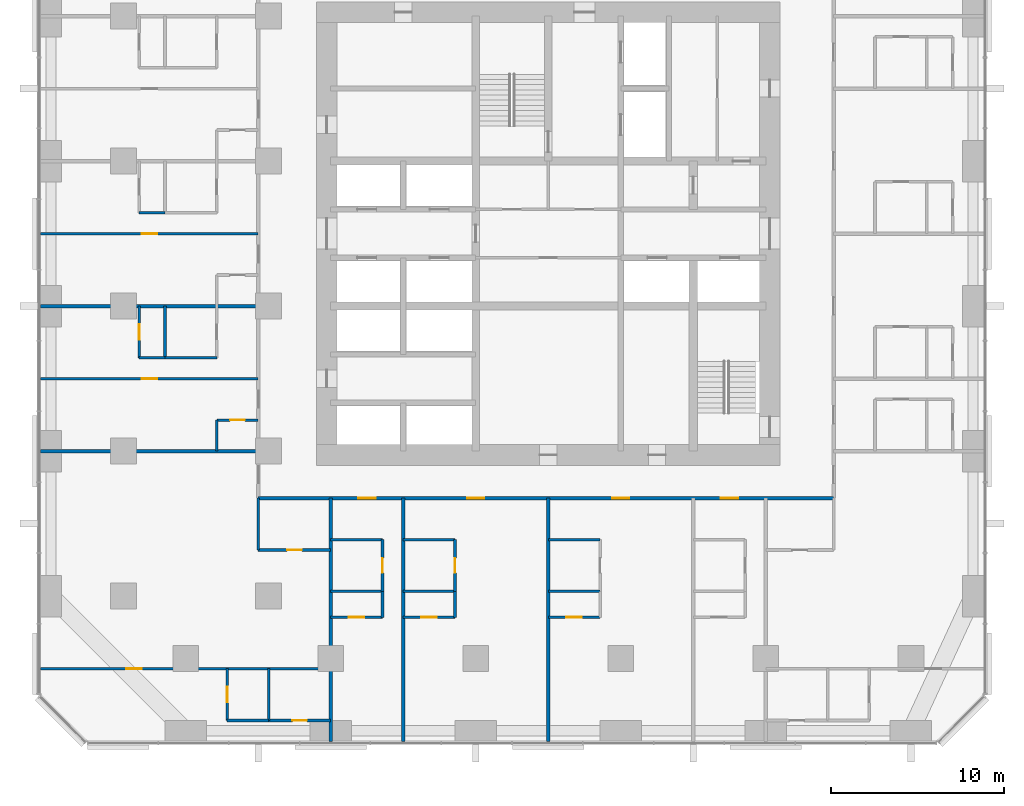
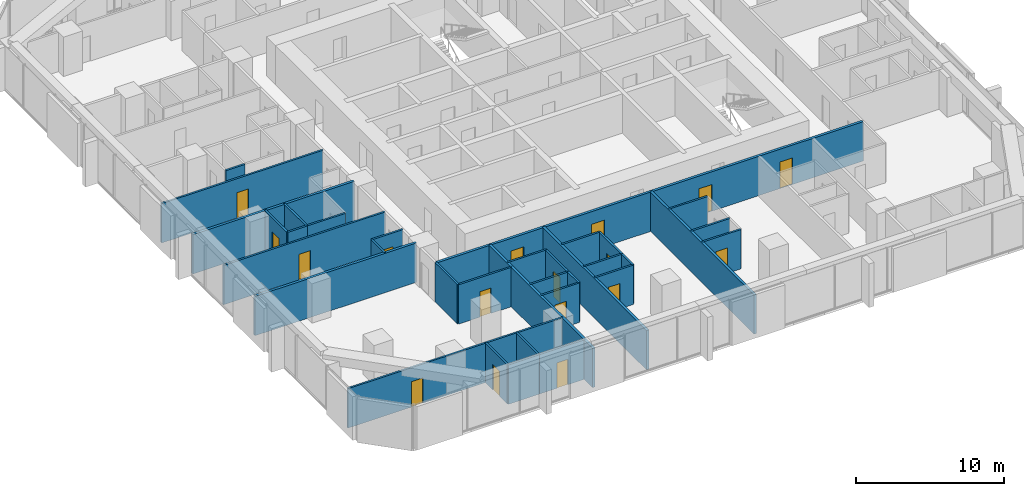
# One storey, part 8 of 14: 35 walls, 17 doors, 17 openings.
"""IFC4 building model written with IfcOpenShell, lengths in metres."""

from ifc_helpers import new_model, si_unit, direction, frame, frame_2d, origin, place, context, subcontext, project, spatial, rectangle, extrude, material, layer, layer_set, type_object, element, fill, save


model = new_model("IFC4")

# Units and contexts
model_context = context("Model", 3, precision=1e-05, world=origin(), true_north=direction((0.0, 1.0)))
body_context = subcontext(model_context, "Body", "Model", "MODEL_VIEW")
ifc_project = project(units=[si_unit("LENGTHUNIT", "METRE"), si_unit("AREAUNIT", "SQUARE_METRE"), si_unit("VOLUMEUNIT", "CUBIC_METRE"), si_unit("PLANEANGLEUNIT", "RADIAN"), si_unit("MASSUNIT", "GRAM", prefix="KILO")], contexts=[model_context])

# Site, building, storey
site_placement = place(None, origin())
site = spatial("IfcSite", under=ifc_project, at=site_placement, CompositionType="ELEMENT")
building_placement = place(site_placement, origin())
building = spatial("IfcBuilding", under=site, at=building_placement, Name="Dunama Terrace Hotel", CompositionType="ELEMENT")
storey_placement = place(building_placement, frame((0.0, 0.0, 104.39990234375)))
storey = spatial("IfcBuildingStorey", under=building, at=storey_placement, Name="L26", CompositionType="ELEMENT", Elevation=104.39990234375)

# Walls
ifc_material_1 = material(Name="Gypsum board partition", Category="masonry")
ifc_layer_1 = layer(ifc_material_1, 0.14990234375)
ifc_layer_set_1 = layer_set([ifc_layer_1], Name="Bathroom partition 150")
wall_type_1 = type_object("IfcWallType", Name="Bathroom partition 150", PredefinedType="PARTITIONING", material=ifc_layer_set_1)
wall_1_placement = place(storey_placement, frame((10.199951171875, 16.800048828125, 0.0), z_axis=(0.0, 0.0, 1.0), x_axis=(0.0, 1.0, 0.0)))
element("IfcWall", 1, at=wall_1_placement, inside=storey, type_object=wall_type_1, Name="Bathroom partition 150 L26", PredefinedType="PARTITIONING", context=body_context, shape_type="SweptSolid", body=[
    extrude(rectangle(XDim=1.800048828125, YDim=0.14990234375, at=frame_2d((0.89990234375, 0.0))), origin(), (0.0, 0.0, 1.0), 3.25),
])
wall_2_placement = place(storey_placement, frame((12.60009765625, 11.074951171875, 0.0), z_axis=(0.0, 0.0, 1.0), x_axis=(0.0, 1.0, 0.0)))
element("IfcWall", 2, at=wall_2_placement, inside=storey, type_object=wall_type_1, Name="Bathroom partition 150 L26", PredefinedType="PARTITIONING", context=body_context, shape_type="SweptSolid", body=[
    extrude(rectangle(XDim=3.0, YDim=0.14990234375, at=frame_2d((1.5, 0.0))), origin(), (0.0, 0.0, 1.0), 3.25),
])

# Wall, opening, door
wall_3_placement = place(storey_placement, frame((19.800048828125, 8.675048828125, 0.0), z_axis=(0.0, 0.0, 1.0), x_axis=(0.0, 1.0, 0.0)))
wall_3 = element("IfcWall", 3, at=wall_3_placement, inside=storey, type_object=wall_type_1, Name="Bathroom partition 150 L26", PredefinedType="PARTITIONING", context=body_context, shape_type="SweptSolid", body=[
    extrude(rectangle(XDim=3.0, YDim=0.14990234375, at=frame_2d((1.5, 0.0))), origin(), (0.0, 0.0, 1.0), 3.25),
])
opening_1_placement = place(wall_3_placement, frame((1.074951171875, 0.0, 0.0)))
opening_1 = element("IfcOpeningElement", 4, at=opening_1_placement, cuts=wall_3, Name="Opening L25-27-012", PredefinedType="OPENING", context=body_context, shape_type="SweptSolid", body=[
    extrude(rectangle(XDim=0.85009765625, YDim=2.10009765625, at=frame_2d((0.425048828125, 1.050048828125))), frame((0.0, 0.0849609375, 0.0), z_axis=(0.0, -1.0, 0.0), x_axis=(1.0, 0.0, 0.0)), (0.0, 0.0, 1.0), 0.169921875),
])
ifc_material_2 = material(Name="Timber door with steel frame", Category="steel")
door_type_1 = type_object("IfcDoorType", Name="Bathroom door 850", OperationType="SINGLE_SWING_LEFT", PredefinedType="DOOR", material=ifc_material_2)
door_1_placement = place(opening_1_placement, origin())
door_1 = element("IfcDoor", 5, at=door_1_placement, inside=storey, type_object=door_type_1, Name="Door to en-suite bathroom L25-27-012, type D2", OperationType="SINGLE_SWING_LEFT", OverallHeight=2.10009765625, OverallWidth=0.85009765625, PredefinedType="DOOR", context=body_context, shape_type="SweptSolid", body=[
    extrude(rectangle(XDim=0.85009765625, YDim=2.10009765625, at=frame_2d((0.425048828125, 1.050048828125))), frame((0.0, 0.02490234375, 0.0), z_axis=(0.0, -1.0, 0.0), x_axis=(1.0, 0.0, 0.0)), (0.0, 0.0, 1.0), 0.050048828125),
])
fill(opening_1, door_1)

wall_4_placement = place(storey_placement, frame((24.0, 8.675048828125, 0.0), z_axis=(0.0, 0.0, 1.0), x_axis=(0.0, 1.0, 0.0)))
wall_4 = element("IfcWall", 6, at=wall_4_placement, inside=storey, type_object=wall_type_1, Name="Bathroom partition 150 L26", PredefinedType="PARTITIONING", context=body_context, shape_type="SweptSolid", body=[
    extrude(rectangle(XDim=3.0, YDim=0.14990234375, at=frame_2d((1.5, 0.0))), origin(), (0.0, 0.0, 1.0), 3.25),
])
opening_2_placement = place(wall_4_placement, frame((1.074951171875, 0.0, 0.0)))
opening_2 = element("IfcOpeningElement", 7, at=opening_2_placement, cuts=wall_4, Name="Opening L25-27-015", PredefinedType="OPENING", context=body_context, shape_type="SweptSolid", body=[
    extrude(rectangle(XDim=0.85009765625, YDim=2.10009765625, at=frame_2d((0.425048828125, 1.050048828125))), frame((0.0, 0.0849609375, 0.0), z_axis=(0.0, -1.0, 0.0), x_axis=(1.0, 0.0, 0.0)), (0.0, 0.0, 1.0), 0.169921875),
])
door_2_placement = place(opening_2_placement, origin())
door_2 = element("IfcDoor", 8, at=door_2_placement, inside=storey, type_object=door_type_1, Name="Door to en-suite bathroom L25-27-015, type D2", OperationType="SINGLE_SWING_LEFT", OverallHeight=2.10009765625, OverallWidth=0.85009765625, PredefinedType="DOOR", context=body_context, shape_type="SweptSolid", body=[
    extrude(rectangle(XDim=0.85009765625, YDim=2.10009765625, at=frame_2d((0.425048828125, 1.050048828125))), frame((0.0, 0.02490234375, 0.0), z_axis=(0.0, -1.0, 0.0), x_axis=(1.0, 0.0, 0.0)), (0.0, 0.0, 1.0), 0.050048828125),
])
fill(opening_2, door_2)

wall_5_placement = place(storey_placement, frame((13.199951171875, 1.199951171875, 0.0), z_axis=(0.0, 0.0, 1.0), x_axis=(1.0, 0.0, 0.0)))
wall_5 = element("IfcWall", 9, at=wall_5_placement, inside=storey, type_object=wall_type_1, Name="Bathroom partition 150 L26", PredefinedType="PARTITIONING", context=body_context, shape_type="SweptSolid", body=[
    extrude(rectangle(XDim=3.60009765625, YDim=0.14990234375, at=frame_2d((1.800048828125, 0.0))), origin(), (0.0, 0.0, 1.0), 3.25),
])
opening_3_placement = place(wall_5_placement, frame((1.375, 0.0, 0.0)))
opening_3 = element("IfcOpeningElement", 10, at=opening_3_placement, cuts=wall_5, Name="Opening L25-27-062", PredefinedType="OPENING", context=body_context, shape_type="SweptSolid", body=[
    extrude(rectangle(XDim=0.85009765625, YDim=2.10009765625, at=frame_2d((0.425048828125, 1.050048828125))), frame((0.0, 0.0849609375, 0.0), z_axis=(0.0, -1.0, 0.0), x_axis=(1.0, 0.0, 0.0)), (0.0, 0.0, 1.0), 0.169921875),
])
door_3_placement = place(opening_3_placement, origin())
door_3 = element("IfcDoor", 11, at=door_3_placement, inside=storey, type_object=door_type_1, Name="Door to en-suite bathroom L25-27-062, type D2", OperationType="SINGLE_SWING_RIGHT", OverallHeight=2.10009765625, OverallWidth=0.85009765625, PredefinedType="DOOR", context=body_context, shape_type="SweptSolid", body=[
    extrude(rectangle(XDim=0.85009765625, YDim=2.10009765625, at=frame_2d((0.425048828125, 1.050048828125))), frame((0.0, 0.02490234375, 0.0), z_axis=(0.0, -1.0, 0.0), x_axis=(1.0, 0.0, 0.0)), (0.0, 0.0, 1.0), 0.050048828125),
])
fill(opening_3, door_3)

wall_6_placement = place(storey_placement, frame((12.60009765625, 11.074951171875, 0.0), z_axis=(0.0, 0.0, 1.0), x_axis=(1.0, 0.0, 0.0)))
wall_6 = element("IfcWall", 12, at=wall_6_placement, inside=storey, type_object=wall_type_1, Name="Bathroom partition 150 L26", PredefinedType="PARTITIONING", context=body_context, shape_type="SweptSolid", body=[
    extrude(rectangle(XDim=4.199951171875, YDim=0.14990234375, at=frame_2d((2.10009765625, 0.0))), origin(), (0.0, 0.0, 1.0), 3.25),
])
opening_4_placement = place(wall_6_placement, frame((1.675048828125, 0.0, 0.0)))
opening_4 = element("IfcOpeningElement", 13, at=opening_4_placement, cuts=wall_6, Name="Opening L25-27-060", PredefinedType="OPENING", context=body_context, shape_type="SweptSolid", body=[
    extrude(rectangle(XDim=0.85009765625, YDim=2.10009765625, at=frame_2d((0.425048828125, 1.050048828125))), frame((0.0, 0.0849609375, 0.0), z_axis=(0.0, -1.0, 0.0), x_axis=(1.0, 0.0, 0.0)), (0.0, 0.0, 1.0), 0.169921875),
])
door_4_placement = place(opening_4_placement, origin())
door_4 = element("IfcDoor", 14, at=door_4_placement, inside=storey, type_object=door_type_1, Name="Door to powder room L25-27-060, type D2", OperationType="SINGLE_SWING_RIGHT", OverallHeight=2.10009765625, OverallWidth=0.85009765625, PredefinedType="DOOR", context=body_context, shape_type="SweptSolid", body=[
    extrude(rectangle(XDim=0.85009765625, YDim=2.10009765625, at=frame_2d((0.425048828125, 1.050048828125))), frame((0.0, 0.02490234375, 0.0), z_axis=(0.0, -1.0, 0.0), x_axis=(1.0, 0.0, 0.0)), (0.0, 0.0, 1.0), 0.050048828125),
])
fill(opening_4, door_4)

# Walls
for number, where, z_axis, x_axis, name in (
    (15, (16.800048828125, 11.675048828125, 0.0), (0.0, 0.0, 1.0), (1.0, 0.0, 0.0), "Bathroom partition 150 L26"),
    (16, (21.0, 11.675048828125, 0.0), (0.0, 0.0, 1.0), (1.0, 0.0, 0.0), "Bathroom partition 150 L26"),
    (17, (29.39990234375, 11.675048828125, 0.0), (0.0, 0.0, 1.0), (1.0, 0.0, 0.0), "Bathroom partition 150 L26"),
):
    element("IfcWall", number, at=place(storey_placement, frame(where, z_axis=z_axis, x_axis=x_axis)), inside=storey, type_object=wall_type_1, Name=name, PredefinedType="PARTITIONING", context=body_context, shape_type="SweptSolid", body=[
        extrude(rectangle(XDim=3.0, YDim=0.14990234375, at=frame_2d((1.5, 0.0))), origin(), (0.0, 0.0, 1.0), 3.25),
    ])

# Wall, opening, door
wall_7_placement = place(storey_placement, frame((10.199951171875, 18.60009765625, 0.0), z_axis=(0.0, 0.0, 1.0), x_axis=(1.0, 0.0, 0.0)))
wall_7 = element("IfcWall", 18, at=wall_7_placement, inside=storey, type_object=wall_type_1, Name="Bathroom partition 150 L26", PredefinedType="PARTITIONING", context=body_context, shape_type="SweptSolid", body=[
    extrude(rectangle(XDim=2.400146484375, YDim=0.14990234375, at=frame_2d((1.2001953125, 0.0))), origin(), (0.0, 0.0, 1.0), 3.25),
])
opening_5_placement = place(wall_7_placement, frame((0.77490234375, 0.0, 0.0)))
opening_5 = element("IfcOpeningElement", 19, at=opening_5_placement, cuts=wall_7, Name="Opening L25-27-045", PredefinedType="OPENING", context=body_context, shape_type="SweptSolid", body=[
    extrude(rectangle(XDim=0.85009765625, YDim=2.10009765625, at=frame_2d((0.425048828125, 1.050048828125))), frame((0.0, 0.0849609375, 0.0), z_axis=(0.0, -1.0, 0.0), x_axis=(1.0, 0.0, 0.0)), (0.0, 0.0, 1.0), 0.169921875),
])
door_5_placement = place(opening_5_placement, frame((0.85009765625, 0.0, 0.0), z_axis=(0.0, 0.0, 1.0), x_axis=(-1.0, 0.0, 0.0)))
door_5 = element("IfcDoor", 20, at=door_5_placement, inside=storey, type_object=door_type_1, Name="Door to powder room L25-27-045, type D2", OperationType="SINGLE_SWING_LEFT", OverallHeight=2.10009765625, OverallWidth=0.85009765625, PredefinedType="DOOR", context=body_context, shape_type="SweptSolid", body=[
    extrude(rectangle(XDim=0.85009765625, YDim=2.10009765625, at=frame_2d((0.425048828125, 1.050048828125))), frame((0.0, 0.025146484375, 0.0), z_axis=(0.0, -1.0, 0.0), x_axis=(1.0, 0.0, 0.0)), (0.0, 0.0, 1.0), 0.050048828125),
])
fill(opening_5, door_5)

# Wall
wall_8_placement = place(storey_placement, frame((7.199951171875, 22.199951171875, 0.0), z_axis=(0.0, 0.0, 1.0), x_axis=(1.0, 0.0, 0.0)))
element("IfcWall", 21, at=wall_8_placement, inside=storey, type_object=wall_type_1, Name="Bathroom partition 150 L26", PredefinedType="PARTITIONING", context=body_context, shape_type="SweptSolid", body=[
    extrude(rectangle(XDim=3.0, YDim=0.14990234375, at=frame_2d((1.5, 0.0))), origin(), (0.0, 0.0, 1.0), 3.25),
])

# Wall, openings, doors
ifc_material_3 = material(Name="Concrete blockwork", Category="masonry")
ifc_layer_2 = layer(ifc_material_3, 0.199951171875)
ifc_layer_set_2 = layer_set([ifc_layer_2], Name="Corridor partition 200")
wall_type_2 = type_object("IfcWallType", Name="Corridor partition 200", PredefinedType="PARTITIONING", material=ifc_layer_set_2)
wall_9_placement = place(storey_placement, frame((45.925048828125, 14.074951171875, 0.0), z_axis=(0.0, 0.0, 1.0), x_axis=(-1.0, 0.0, 0.0)))
wall_9 = element("IfcWall", 22, at=wall_9_placement, inside=storey, type_object=wall_type_2, Name="Corridor partition 200 L26", PredefinedType="PARTITIONING", context=body_context, shape_type="SweptSolid", body=[
    extrude(rectangle(XDim=33.324951171875, YDim=0.199951171875, at=frame_2d((16.66259765625, 0.0))), origin(), (0.0, 0.0, 1.0), 3.25),
])
opening_6_placement = place(wall_9_placement, frame((26.52490234375, 0.0, 0.0)))
opening_6 = element("IfcOpeningElement", 23, at=opening_6_placement, cuts=wall_9, Name="Opening L25-27-011", PredefinedType="OPENING", context=body_context, shape_type="SweptSolid", body=[
    extrude(rectangle(XDim=1.0, YDim=2.199951171875, at=frame_2d((0.5, 1.10009765625))), frame((0.0, 0.10986328125, 0.0), z_axis=(0.0, -1.0, 0.0), x_axis=(1.0, 0.0, 0.0)), (0.0, 0.0, 1.0), 0.219970703125),
])
opening_7_placement = place(wall_9_placement, frame((20.22509765625, 0.0, 0.0)))
opening_7 = element("IfcOpeningElement", 24, at=opening_7_placement, cuts=wall_9, Name="Opening L25-27-014", PredefinedType="OPENING", context=body_context, shape_type="SweptSolid", body=[
    extrude(rectangle(XDim=1.0, YDim=2.199951171875, at=frame_2d((0.5, 1.10009765625))), frame((0.0, 0.10986328125, 0.0), z_axis=(0.0, -1.0, 0.0), x_axis=(1.0, 0.0, 0.0)), (0.0, 0.0, 1.0), 0.219970703125),
])
opening_8_placement = place(wall_9_placement, frame((11.824951171875, 0.0, 0.0)))
opening_8 = element("IfcOpeningElement", 25, at=opening_8_placement, cuts=wall_9, Name="Opening L25-27-017", PredefinedType="OPENING", context=body_context, shape_type="SweptSolid", body=[
    extrude(rectangle(XDim=1.0, YDim=2.199951171875, at=frame_2d((0.5, 1.10009765625))), frame((0.0, 0.10986328125, 0.0), z_axis=(0.0, -1.0, 0.0), x_axis=(1.0, 0.0, 0.0)), (0.0, 0.0, 1.0), 0.219970703125),
])
opening_9_placement = place(wall_9_placement, frame((5.52490234375, 0.0, 0.0)))
opening_9 = element("IfcOpeningElement", 26, at=opening_9_placement, cuts=wall_9, Name="Opening L25-27-020", PredefinedType="OPENING", context=body_context, shape_type="SweptSolid", body=[
    extrude(rectangle(XDim=1.0, YDim=2.199951171875, at=frame_2d((0.5, 1.10009765625))), frame((0.0, 0.10986328125, 0.0), z_axis=(0.0, -1.0, 0.0), x_axis=(1.0, 0.0, 0.0)), (0.0, 0.0, 1.0), 0.219970703125),
])
ifc_material_4 = material(Name="Timber door with steel frame", Category="steel")
door_type_2 = type_object("IfcDoorType", Name="Guest room door 1000", OperationType="SINGLE_SWING_LEFT", PredefinedType="DOOR", material=ifc_material_4)
door_6_placement = place(opening_6_placement, origin())
door_6 = element("IfcDoor", 27, at=door_6_placement, inside=storey, type_object=door_type_2, Name="Door to premier room L25-27-011, type D1", OperationType="SINGLE_SWING_LEFT", OverallHeight=2.199951171875, OverallWidth=1.0, PredefinedType="DOOR", context=body_context, shape_type="SweptSolid", body=[
    extrude(rectangle(XDim=1.0, YDim=2.199951171875, at=frame_2d((0.5, 1.10009765625))), frame((0.0, 0.02490234375, 0.0), z_axis=(0.0, -1.0, 0.0), x_axis=(1.0, 0.0, 0.0)), (0.0, 0.0, 1.0), 0.050048828125),
])
fill(opening_6, door_6)
door_7_placement = place(opening_7_placement, origin())
door_7 = element("IfcDoor", 28, at=door_7_placement, inside=storey, type_object=door_type_2, Name="Door to junior suite L25-27-014, type D1", OperationType="SINGLE_SWING_RIGHT", OverallHeight=2.199951171875, OverallWidth=1.0, PredefinedType="DOOR", context=body_context, shape_type="SweptSolid", body=[
    extrude(rectangle(XDim=1.0, YDim=2.199951171875, at=frame_2d((0.5, 1.10009765625))), frame((0.0, 0.02490234375, 0.0), z_axis=(0.0, -1.0, 0.0), x_axis=(1.0, 0.0, 0.0)), (0.0, 0.0, 1.0), 0.050048828125),
])
fill(opening_7, door_7)
door_8_placement = place(opening_8_placement, origin())
door_8 = element("IfcDoor", 29, at=door_8_placement, inside=storey, type_object=door_type_2, Name="Door to junior suite L25-27-017, type D1", OperationType="SINGLE_SWING_RIGHT", OverallHeight=2.199951171875, OverallWidth=1.0, PredefinedType="DOOR", context=body_context, shape_type="SweptSolid", body=[
    extrude(rectangle(XDim=1.0, YDim=2.199951171875, at=frame_2d((0.5, 1.10009765625))), frame((0.0, 0.02490234375, 0.0), z_axis=(0.0, -1.0, 0.0), x_axis=(1.0, 0.0, 0.0)), (0.0, 0.0, 1.0), 0.050048828125),
])
fill(opening_8, door_8)
door_9_placement = place(opening_9_placement, origin())
door_9 = element("IfcDoor", 30, at=door_9_placement, inside=storey, type_object=door_type_2, Name="Door to premier room L25-27-020, type D1", OperationType="SINGLE_SWING_LEFT", OverallHeight=2.199951171875, OverallWidth=1.0, PredefinedType="DOOR", context=body_context, shape_type="SweptSolid", body=[
    extrude(rectangle(XDim=1.0, YDim=2.199951171875, at=frame_2d((0.5, 1.10009765625))), frame((0.0, 0.02490234375, 0.0), z_axis=(0.0, -1.0, 0.0), x_axis=(1.0, 0.0, 0.0)), (0.0, 0.0, 1.0), 0.050048828125),
])
fill(opening_9, door_9)

# Walls
ifc_material_5 = material(Name="Concrete blockwork", Category="masonry")
ifc_layer_3 = layer(ifc_material_5, 0.199951171875)
ifc_layer_set_3 = layer_set([ifc_layer_3], Name="Party wall 200")
wall_type_3 = type_object("IfcWallType", Name="Party wall 200", PredefinedType="PARTITIONING", material=ifc_layer_set_3)
for number, where, z_axis, x_axis, name in (
    (31, (16.800048828125, -0.01806640625, 0.0), (0.0, 0.0, 1.0), (0.0, 1.0, 0.0), "Party wall 200 L26"),
    (32, (21.0, -0.01806640625, 0.0), (0.0, 0.0, 1.0), (0.0, 1.0, 0.0), "Party wall 200 L26"),
    (33, (29.39990234375, -0.01806640625, 0.0), (0.0, 0.0, 1.0), (0.0, 1.0, 0.0), "Party wall 200 L26"),
):
    element("IfcWall", number, at=place(storey_placement, frame(where, z_axis=z_axis, x_axis=x_axis)), inside=storey, type_object=wall_type_3, Name=name, PredefinedType="PARTITIONING", context=body_context, shape_type="SweptSolid", body=[
        extrude(rectangle(XDim=14.093017578125, YDim=0.199951171875, at=frame_2d((7.04638671875, 0.0))), origin(), (0.0, 0.0, 1.0), 3.25),
    ])
for number, where, z_axis, x_axis, name in (
    (34, (-0.01806640625, 16.800048828125, 0.0), (0.0, 0.0, 1.0), (1.0, 0.0, 0.0), "Party wall 200 L26"),
    (35, (-0.01806640625, 25.199951171875, 0.0), (0.0, 0.0, 1.0), (1.0, 0.0, 0.0), "Party wall 200 L26"),
):
    element("IfcWall", number, at=place(storey_placement, frame(where, z_axis=z_axis, x_axis=x_axis)), inside=storey, type_object=wall_type_3, Name=name, PredefinedType="PARTITIONING", context=body_context, shape_type="SweptSolid", body=[
        extrude(rectangle(XDim=12.6181640625, YDim=0.199951171875, at=frame_2d((6.30908203125, 0.0))), origin(), (0.0, 0.0, 1.0), 3.25),
    ])

# Wall, opening, door
ifc_material_6 = material(Name="Gypsum board partition", Category="masonry")
ifc_layer_4 = layer(ifc_material_6, 0.14990234375)
ifc_layer_set_4 = layer_set([ifc_layer_4], Name="Room partition 150")
wall_type_4 = type_object("IfcWallType", Name="Room partition 150", PredefinedType="PARTITIONING", material=ifc_layer_set_4)
wall_10_placement = place(storey_placement, frame((5.699951171875, 22.199951171875, 0.0), z_axis=(0.0, 0.0, 1.0), x_axis=(0.0, 1.0, 0.0)))
wall_10 = element("IfcWall", 36, at=wall_10_placement, inside=storey, type_object=wall_type_4, Name="Room partition 150 L26", PredefinedType="PARTITIONING", context=body_context, shape_type="SweptSolid", body=[
    extrude(rectangle(XDim=3.0, YDim=0.14990234375, at=frame_2d((1.5, 0.0))), origin(), (0.0, 0.0, 1.0), 3.25),
])
opening_10_placement = place(wall_10_placement, frame((1.050048828125, 0.0, 0.0)))
opening_10 = element("IfcOpeningElement", 37, at=opening_10_placement, cuts=wall_10, Name="Opening L25-27-048", PredefinedType="OPENING", context=body_context, shape_type="SweptSolid", body=[
    extrude(rectangle(XDim=0.89990234375, YDim=2.10009765625, at=frame_2d((0.449951171875, 1.050048828125))), frame((0.0, 0.0849609375, 0.0), z_axis=(0.0, -1.0, 0.0), x_axis=(1.0, 0.0, 0.0)), (0.0, 0.0, 1.0), 0.169921875),
])
ifc_material_7 = material(Name="Timber door with steel frame", Category="steel")
door_type_3 = type_object("IfcDoorType", Name="Suite internal door 900", OperationType="SINGLE_SWING_LEFT", PredefinedType="DOOR", material=ifc_material_7)
door_10_placement = place(opening_10_placement, frame((0.89990234375, 0.0, 0.0), z_axis=(0.0, 0.0, 1.0), x_axis=(-1.0, 0.0, 0.0)))
door_10 = element("IfcDoor", 38, at=door_10_placement, inside=storey, type_object=door_type_3, Name="Door to walk-in wardrobe L25-27-048, type D16", OperationType="SINGLE_SWING_LEFT", OverallHeight=2.10009765625, OverallWidth=0.89990234375, PredefinedType="DOOR", context=body_context, shape_type="SweptSolid", body=[
    extrude(rectangle(XDim=0.89990234375, YDim=2.10009765625, at=frame_2d((0.449951171875, 1.050048828125))), frame((0.0, 0.025146484375, 0.0), z_axis=(0.0, -1.0, 0.0), x_axis=(1.0, 0.0, 0.0)), (0.0, 0.0, 1.0), 0.050048828125),
])
fill(opening_10, door_10)

# Wall
wall_11_placement = place(storey_placement, frame((7.199951171875, 22.199951171875, 0.0), z_axis=(0.0, 0.0, 1.0), x_axis=(0.0, 1.0, 0.0)))
element("IfcWall", 39, at=wall_11_placement, inside=storey, type_object=wall_type_4, Name="Room partition 150 L26", PredefinedType="PARTITIONING", context=body_context, shape_type="SweptSolid", body=[
    extrude(rectangle(XDim=3.0, YDim=0.14990234375, at=frame_2d((1.5, 0.0))), origin(), (0.0, 0.0, 1.0), 3.25),
])

# Wall, opening, door
wall_12_placement = place(storey_placement, frame((10.800048828125, 1.199951171875, 0.0), z_axis=(0.0, 0.0, 1.0), x_axis=(0.0, 1.0, 0.0)))
wall_12 = element("IfcWall", 40, at=wall_12_placement, inside=storey, type_object=wall_type_4, Name="Room partition 150 L26", PredefinedType="PARTITIONING", context=body_context, shape_type="SweptSolid", body=[
    extrude(rectangle(XDim=3.0, YDim=0.14990234375, at=frame_2d((1.5, 0.0))), origin(), (0.0, 0.0, 1.0), 3.25),
])
opening_11_placement = place(wall_12_placement, frame((1.050048828125, 0.0, 0.0)))
opening_11 = element("IfcOpeningElement", 41, at=opening_11_placement, cuts=wall_12, Name="Opening L25-27-063", PredefinedType="OPENING", context=body_context, shape_type="SweptSolid", body=[
    extrude(rectangle(XDim=0.89990234375, YDim=2.10009765625, at=frame_2d((0.449951171875, 1.050048828125))), frame((0.0, 0.0849609375, 0.0), z_axis=(0.0, -1.0, 0.0), x_axis=(1.0, 0.0, 0.0)), (0.0, 0.0, 1.0), 0.169921875),
])
door_11_placement = place(opening_11_placement, frame((0.89990234375, 0.0, 0.0), z_axis=(0.0, 0.0, 1.0), x_axis=(-1.0, 0.0, 0.0)))
door_11 = element("IfcDoor", 42, at=door_11_placement, inside=storey, type_object=door_type_3, Name="Door to dressing room L25-27-063, type D16", OperationType="SINGLE_SWING_LEFT", OverallHeight=2.10009765625, OverallWidth=0.89990234375, PredefinedType="DOOR", context=body_context, shape_type="SweptSolid", body=[
    extrude(rectangle(XDim=0.89990234375, YDim=2.10009765625, at=frame_2d((0.449951171875, 1.050048828125))), frame((0.0, 0.025146484375, 0.0), z_axis=(0.0, -1.0, 0.0), x_axis=(1.0, 0.0, 0.0)), (0.0, 0.0, 1.0), 0.050048828125),
])
fill(opening_11, door_11)

# Walls
wall_13_placement = place(storey_placement, frame((13.199951171875, 1.199951171875, 0.0), z_axis=(0.0, 0.0, 1.0), x_axis=(0.0, 1.0, 0.0)))
element("IfcWall", 43, at=wall_13_placement, inside=storey, type_object=wall_type_4, Name="Room partition 150 L26", PredefinedType="PARTITIONING", context=body_context, shape_type="SweptSolid", body=[
    extrude(rectangle(XDim=3.0, YDim=0.14990234375, at=frame_2d((1.5, 0.0))), origin(), (0.0, 0.0, 1.0), 3.25),
])
for number, where, z_axis, x_axis, name in (
    (44, (19.800048828125, 7.175048828125, 0.0), (0.0, 0.0, 1.0), (0.0, 1.0, 0.0), "Room partition 150 L26"),
    (45, (24.0, 7.175048828125, 0.0), (0.0, 0.0, 1.0), (0.0, 1.0, 0.0), "Room partition 150 L26"),
):
    element("IfcWall", number, at=place(storey_placement, frame(where, z_axis=z_axis, x_axis=x_axis)), inside=storey, type_object=wall_type_4, Name=name, PredefinedType="PARTITIONING", context=body_context, shape_type="SweptSolid", body=[
        extrude(rectangle(XDim=1.5, YDim=0.14990234375, at=frame_2d((0.75, 0.0))), origin(), (0.0, 0.0, 1.0), 3.25),
    ])
wall_14_placement = place(storey_placement, frame((10.800048828125, 1.199951171875, 0.0), z_axis=(0.0, 0.0, 1.0), x_axis=(1.0, 0.0, 0.0)))
element("IfcWall", 46, at=wall_14_placement, inside=storey, type_object=wall_type_4, Name="Room partition 150 L26", PredefinedType="PARTITIONING", context=body_context, shape_type="SweptSolid", body=[
    extrude(rectangle(XDim=2.39990234375, YDim=0.14990234375, at=frame_2d((1.199951171875, 0.0))), origin(), (0.0, 0.0, 1.0), 3.25),
])

# Wall, opening, door
wall_15_placement = place(storey_placement, frame((-0.01806640625, 4.199951171875, 0.0), z_axis=(0.0, 0.0, 1.0), x_axis=(1.0, 0.0, 0.0)))
wall_15 = element("IfcWall", 47, at=wall_15_placement, inside=storey, type_object=wall_type_4, Name="Room partition 150 L26", PredefinedType="PARTITIONING", context=body_context, shape_type="SweptSolid", body=[
    extrude(rectangle(XDim=16.818115234375, YDim=0.14990234375, at=frame_2d((8.4091796875, 0.0))), origin(), (0.0, 0.0, 1.0), 3.25),
])
opening_12_placement = place(wall_15_placement, frame((4.968017578125, 0.0, 0.0)))
opening_12 = element("IfcOpeningElement", 48, at=opening_12_placement, cuts=wall_15, Name="Opening L25-27-061", PredefinedType="OPENING", context=body_context, shape_type="SweptSolid", body=[
    extrude(rectangle(XDim=0.89990234375, YDim=2.10009765625, at=frame_2d((0.449951171875, 1.050048828125))), frame((0.0, 0.0849609375, 0.0), z_axis=(0.0, -1.0, 0.0), x_axis=(1.0, 0.0, 0.0)), (0.0, 0.0, 1.0), 0.169921875),
])
door_12_placement = place(opening_12_placement, frame((0.89990234375, 0.0, 0.0), z_axis=(0.0, 0.0, 1.0), x_axis=(-1.0, 0.0, 0.0)))
door_12 = element("IfcDoor", 49, at=door_12_placement, inside=storey, type_object=door_type_3, Name="Door to corner suite bedroom L25-27-061, type D16", OperationType="SINGLE_SWING_LEFT", OverallHeight=2.10009765625, OverallWidth=0.89990234375, PredefinedType="DOOR", context=body_context, shape_type="SweptSolid", body=[
    extrude(rectangle(XDim=0.89990234375, YDim=2.10009765625, at=frame_2d((0.449951171875, 1.050048828125))), frame((0.0, 0.025146484375, 0.0), z_axis=(0.0, -1.0, 0.0), x_axis=(1.0, 0.0, 0.0)), (0.0, 0.0, 1.0), 0.050048828125),
])
fill(opening_12, door_12)

wall_16_placement = place(storey_placement, frame((16.800048828125, 7.175048828125, 0.0), z_axis=(0.0, 0.0, 1.0), x_axis=(1.0, 0.0, 0.0)))
wall_16 = element("IfcWall", 50, at=wall_16_placement, inside=storey, type_object=wall_type_4, Name="Room partition 150 L26", PredefinedType="PARTITIONING", context=body_context, shape_type="SweptSolid", body=[
    extrude(rectangle(XDim=3.0, YDim=0.14990234375, at=frame_2d((1.5, 0.0))), origin(), (0.0, 0.0, 1.0), 3.25),
])
opening_13_placement = place(wall_16_placement, frame((1.050048828125, 0.0, 0.0)))
opening_13 = element("IfcOpeningElement", 51, at=opening_13_placement, cuts=wall_16, Name="Opening L25-27-013", PredefinedType="OPENING", context=body_context, shape_type="SweptSolid", body=[
    extrude(rectangle(XDim=0.89990234375, YDim=2.10009765625, at=frame_2d((0.449951171875, 1.050048828125))), frame((0.0, 0.0849609375, 0.0), z_axis=(0.0, -1.0, 0.0), x_axis=(1.0, 0.0, 0.0)), (0.0, 0.0, 1.0), 0.169921875),
])
door_13_placement = place(opening_13_placement, origin())
door_13 = element("IfcDoor", 52, at=door_13_placement, inside=storey, type_object=door_type_3, Name="Door to walk-in wardrobe L25-27-013, type D16", OperationType="SINGLE_SWING_LEFT", OverallHeight=2.10009765625, OverallWidth=0.89990234375, PredefinedType="DOOR", context=body_context, shape_type="SweptSolid", body=[
    extrude(rectangle(XDim=0.89990234375, YDim=2.10009765625, at=frame_2d((0.449951171875, 1.050048828125))), frame((0.0, 0.02490234375, 0.0), z_axis=(0.0, -1.0, 0.0), x_axis=(1.0, 0.0, 0.0)), (0.0, 0.0, 1.0), 0.050048828125),
])
fill(opening_13, door_13)

wall_17_placement = place(storey_placement, frame((21.0, 7.175048828125, 0.0), z_axis=(0.0, 0.0, 1.0), x_axis=(1.0, 0.0, 0.0)))
wall_17 = element("IfcWall", 53, at=wall_17_placement, inside=storey, type_object=wall_type_4, Name="Room partition 150 L26", PredefinedType="PARTITIONING", context=body_context, shape_type="SweptSolid", body=[
    extrude(rectangle(XDim=3.0, YDim=0.14990234375, at=frame_2d((1.5, 0.0))), origin(), (0.0, 0.0, 1.0), 3.25),
])
opening_14_placement = place(wall_17_placement, frame((1.050048828125, 0.0, 0.0)))
opening_14 = element("IfcOpeningElement", 54, at=opening_14_placement, cuts=wall_17, Name="Opening L25-27-016", PredefinedType="OPENING", context=body_context, shape_type="SweptSolid", body=[
    extrude(rectangle(XDim=0.89990234375, YDim=2.10009765625, at=frame_2d((0.449951171875, 1.050048828125))), frame((0.0, 0.0849609375, 0.0), z_axis=(0.0, -1.0, 0.0), x_axis=(1.0, 0.0, 0.0)), (0.0, 0.0, 1.0), 0.169921875),
])
door_14_placement = place(opening_14_placement, origin())
door_14 = element("IfcDoor", 55, at=door_14_placement, inside=storey, type_object=door_type_3, Name="Door to walk-in wardrobe L25-27-016, type D16", OperationType="SINGLE_SWING_LEFT", OverallHeight=2.10009765625, OverallWidth=0.89990234375, PredefinedType="DOOR", context=body_context, shape_type="SweptSolid", body=[
    extrude(rectangle(XDim=0.89990234375, YDim=2.10009765625, at=frame_2d((0.449951171875, 1.050048828125))), frame((0.0, 0.02490234375, 0.0), z_axis=(0.0, -1.0, 0.0), x_axis=(1.0, 0.0, 0.0)), (0.0, 0.0, 1.0), 0.050048828125),
])
fill(opening_14, door_14)

wall_18_placement = place(storey_placement, frame((29.39990234375, 7.175048828125, 0.0), z_axis=(0.0, 0.0, 1.0), x_axis=(1.0, 0.0, 0.0)))
wall_18 = element("IfcWall", 56, at=wall_18_placement, inside=storey, type_object=wall_type_4, Name="Room partition 150 L26", PredefinedType="PARTITIONING", context=body_context, shape_type="SweptSolid", body=[
    extrude(rectangle(XDim=3.0, YDim=0.14990234375, at=frame_2d((1.5, 0.0))), origin(), (0.0, 0.0, 1.0), 3.25),
])
opening_15_placement = place(wall_18_placement, frame((1.050048828125, 0.0, 0.0)))
opening_15 = element("IfcOpeningElement", 57, at=opening_15_placement, cuts=wall_18, Name="Opening L25-27-019", PredefinedType="OPENING", context=body_context, shape_type="SweptSolid", body=[
    extrude(rectangle(XDim=0.89990234375, YDim=2.10009765625, at=frame_2d((0.449951171875, 1.050048828125))), frame((0.0, 0.0849609375, 0.0), z_axis=(0.0, -1.0, 0.0), x_axis=(1.0, 0.0, 0.0)), (0.0, 0.0, 1.0), 0.169921875),
])
door_15_placement = place(opening_15_placement, origin())
door_15 = element("IfcDoor", 58, at=door_15_placement, inside=storey, type_object=door_type_3, Name="Door to walk-in wardrobe L25-27-019, type D16", OperationType="SINGLE_SWING_LEFT", OverallHeight=2.10009765625, OverallWidth=0.89990234375, PredefinedType="DOOR", context=body_context, shape_type="SweptSolid", body=[
    extrude(rectangle(XDim=0.89990234375, YDim=2.10009765625, at=frame_2d((0.449951171875, 1.050048828125))), frame((0.0, 0.02490234375, 0.0), z_axis=(0.0, -1.0, 0.0), x_axis=(1.0, 0.0, 0.0)), (0.0, 0.0, 1.0), 0.050048828125),
])
fill(opening_15, door_15)

# Walls
for number, where, z_axis, x_axis, name in (
    (59, (16.800048828125, 8.675048828125, 0.0), (0.0, 0.0, 1.0), (1.0, 0.0, 0.0), "Room partition 150 L26"),
    (60, (21.0, 8.675048828125, 0.0), (0.0, 0.0, 1.0), (1.0, 0.0, 0.0), "Room partition 150 L26"),
    (61, (29.39990234375, 8.675048828125, 0.0), (0.0, 0.0, 1.0), (1.0, 0.0, 0.0), "Room partition 150 L26"),
):
    element("IfcWall", number, at=place(storey_placement, frame(where, z_axis=z_axis, x_axis=x_axis)), inside=storey, type_object=wall_type_4, Name=name, PredefinedType="PARTITIONING", context=body_context, shape_type="SweptSolid", body=[
        extrude(rectangle(XDim=3.0, YDim=0.14990234375, at=frame_2d((1.5, 0.0))), origin(), (0.0, 0.0, 1.0), 3.25),
    ])

# Wall, opening, door
wall_19_placement = place(storey_placement, frame((-0.01806640625, 21.0, 0.0), z_axis=(0.0, 0.0, 1.0), x_axis=(1.0, 0.0, 0.0)))
wall_19 = element("IfcWall", 62, at=wall_19_placement, inside=storey, type_object=wall_type_4, Name="Room partition 150 L26", PredefinedType="PARTITIONING", context=body_context, shape_type="SweptSolid", body=[
    extrude(rectangle(XDim=12.6181640625, YDim=0.14990234375, at=frame_2d((6.30908203125, 0.0))), origin(), (0.0, 0.0, 1.0), 3.25),
])
opening_16_placement = place(wall_19_placement, frame((5.867919921875, 0.0, 0.0)))
opening_16 = element("IfcOpeningElement", 63, at=opening_16_placement, cuts=wall_19, Name="Opening L25-27-046", PredefinedType="OPENING", context=body_context, shape_type="SweptSolid", body=[
    extrude(rectangle(XDim=0.89990234375, YDim=2.10009765625, at=frame_2d((0.449951171875, 1.050048828125))), frame((0.0, 0.0849609375, 0.0), z_axis=(0.0, -1.0, 0.0), x_axis=(1.0, 0.0, 0.0)), (0.0, 0.0, 1.0), 0.169921875),
])
door_16_placement = place(opening_16_placement, origin())
door_16 = element("IfcDoor", 64, at=door_16_placement, inside=storey, type_object=door_type_3, Name="Door to premier suite bedroom L25-27-046, type D16", OperationType="SINGLE_SWING_LEFT", OverallHeight=2.10009765625, OverallWidth=0.89990234375, PredefinedType="DOOR", context=body_context, shape_type="SweptSolid", body=[
    extrude(rectangle(XDim=0.89990234375, YDim=2.10009765625, at=frame_2d((0.449951171875, 1.050048828125))), frame((0.0, 0.02490234375, 0.0), z_axis=(0.0, -1.0, 0.0), x_axis=(1.0, 0.0, 0.0)), (0.0, 0.0, 1.0), 0.050048828125),
])
fill(opening_16, door_16)

# Wall
wall_20_placement = place(storey_placement, frame((5.699951171875, 22.199951171875, 0.0), z_axis=(0.0, 0.0, 1.0), x_axis=(1.0, 0.0, 0.0)))
element("IfcWall", 65, at=wall_20_placement, inside=storey, type_object=wall_type_4, Name="Room partition 150 L26", PredefinedType="PARTITIONING", context=body_context, shape_type="SweptSolid", body=[
    extrude(rectangle(XDim=1.5, YDim=0.14990234375, at=frame_2d((0.75, 0.0))), origin(), (0.0, 0.0, 1.0), 3.25),
])

# Wall, opening, door
wall_21_placement = place(storey_placement, frame((-0.01806640625, 29.39990234375, 0.0), z_axis=(0.0, 0.0, 1.0), x_axis=(1.0, 0.0, 0.0)))
wall_21 = element("IfcWall", 66, at=wall_21_placement, inside=storey, type_object=wall_type_4, Name="Room partition 150 L26", PredefinedType="PARTITIONING", context=body_context, shape_type="SweptSolid", body=[
    extrude(rectangle(XDim=12.6181640625, YDim=0.14990234375, at=frame_2d((6.30908203125, 0.0))), origin(), (0.0, 0.0, 1.0), 3.25),
])
opening_17_placement = place(wall_21_placement, frame((5.867919921875, 0.0, 0.0)))
opening_17 = element("IfcOpeningElement", 67, at=opening_17_placement, cuts=wall_21, Name="Opening L25-27-051", PredefinedType="OPENING", context=body_context, shape_type="SweptSolid", body=[
    extrude(rectangle(XDim=0.89990234375, YDim=2.10009765625, at=frame_2d((0.449951171875, 1.050048828125))), frame((0.0, 0.0849609375, 0.0), z_axis=(0.0, -1.0, 0.0), x_axis=(1.0, 0.0, 0.0)), (0.0, 0.0, 1.0), 0.169921875),
])
door_17_placement = place(opening_17_placement, origin())
door_17 = element("IfcDoor", 68, at=door_17_placement, inside=storey, type_object=door_type_3, Name="Door to premier suite bedroom L25-27-051, type D16", OperationType="SINGLE_SWING_LEFT", OverallHeight=2.10009765625, OverallWidth=0.89990234375, PredefinedType="DOOR", context=body_context, shape_type="SweptSolid", body=[
    extrude(rectangle(XDim=0.89990234375, YDim=2.10009765625, at=frame_2d((0.449951171875, 1.050048828125))), frame((0.0, 0.02490234375, 0.0), z_axis=(0.0, -1.0, 0.0), x_axis=(1.0, 0.0, 0.0)), (0.0, 0.0, 1.0), 0.050048828125),
])
fill(opening_17, door_17)

# Wall
wall_22_placement = place(storey_placement, frame((5.699951171875, 30.60009765625, 0.0), z_axis=(0.0, 0.0, 1.0), x_axis=(1.0, 0.0, 0.0)))
element("IfcWall", 69, at=wall_22_placement, inside=storey, type_object=wall_type_4, Name="Room partition 150 L26", PredefinedType="PARTITIONING", context=body_context, shape_type="SweptSolid", body=[
    extrude(rectangle(XDim=1.5, YDim=0.14990234375, at=frame_2d((0.75, 0.0))), origin(), (0.0, 0.0, 1.0), 3.25),
])

save(model, "model.ifc")
